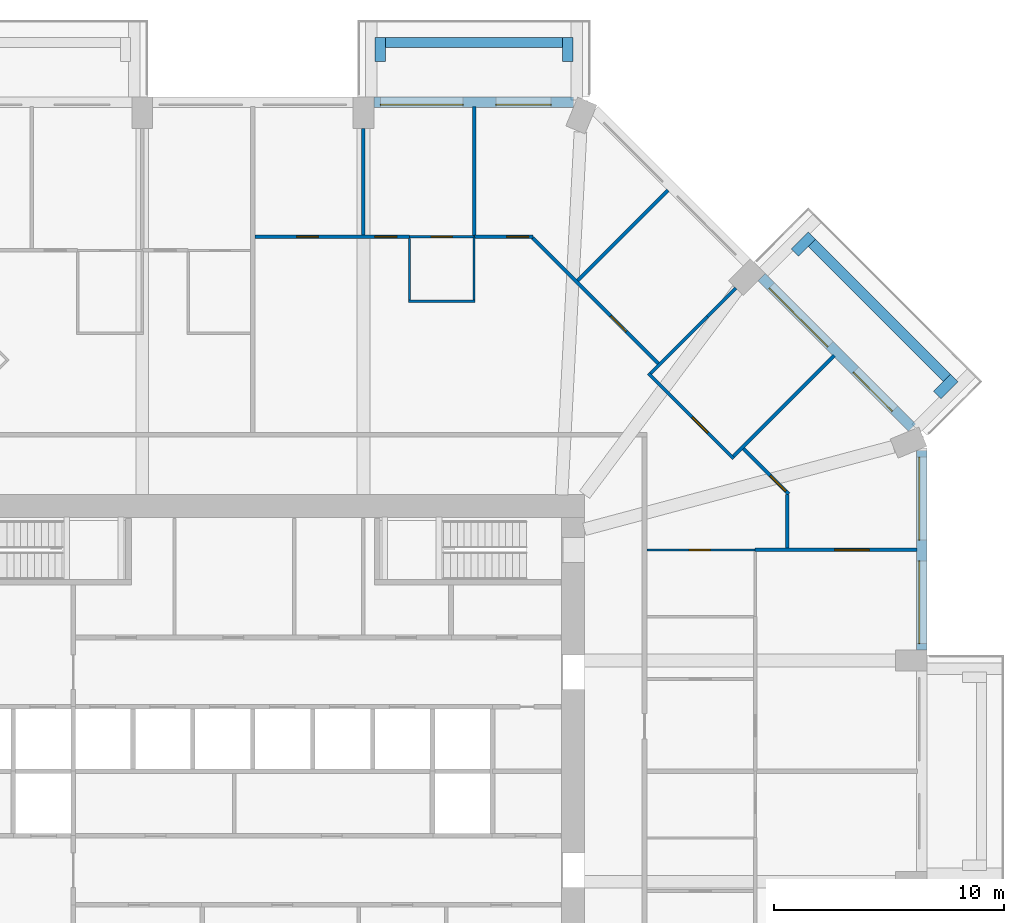
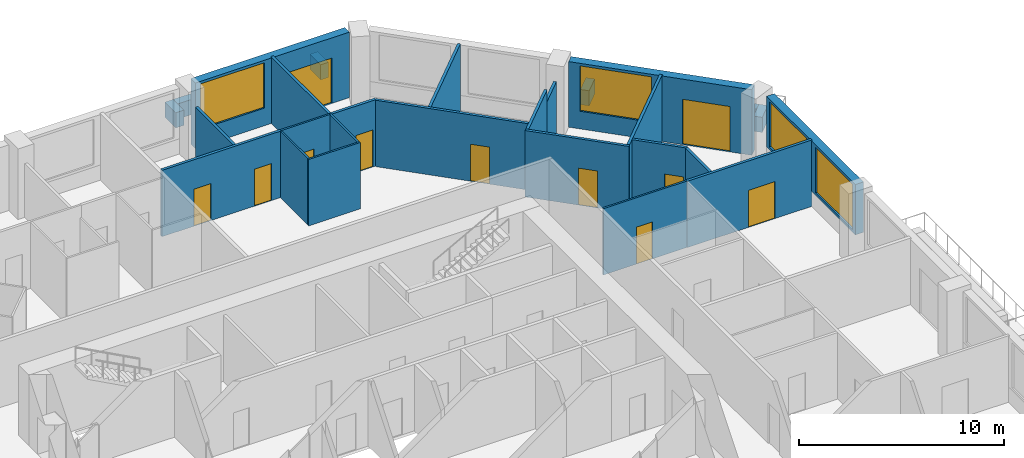
# One storey, part 10 of 13: 27 walls, 11 doors, 4 windows, 15 openings.
"""IFC4 building model written with IfcOpenShell, lengths in metres."""

from ifc_helpers import new_model, si_unit, direction, frame, frame_2d, origin, place, context, subcontext, project, spatial, rectangle, extrude, material, layer, layer_set, type_object, element, fill, save


model = new_model("IFC4")

# Units and contexts
model_context = context("Model", 3, precision=1e-05, world=origin(), true_north=direction((0.0, 1.0)))
body_context = subcontext(model_context, "Body", "Model", "MODEL_VIEW")
ifc_project = project(units=[si_unit("LENGTHUNIT", "METRE"), si_unit("AREAUNIT", "SQUARE_METRE"), si_unit("VOLUMEUNIT", "CUBIC_METRE"), si_unit("PLANEANGLEUNIT", "RADIAN"), si_unit("MASSUNIT", "GRAM", prefix="KILO")], contexts=[model_context])

# Site, building, storey
site_placement = place(None, origin())
site = spatial("IfcSite", under=ifc_project, at=site_placement, CompositionType="ELEMENT")
building_placement = place(site_placement, origin())
building = spatial("IfcBuilding", under=site, at=building_placement, Name="Msitu Wima Residences", CompositionType="ELEMENT")
storey_placement = place(building_placement, frame((0.0, 0.0, 46.5)))
storey = spatial("IfcBuildingStorey", under=building, at=storey_placement, Name="L10", CompositionType="ELEMENT", Elevation=46.5)

# Walls
ifc_material_1 = material(Name="Facing brick")
ifc_layer_1 = layer(ifc_material_1, 0.06494140625, Name="Facing brick")
ifc_material_2 = material(Name="Concrete C40/50", Category="concrete")
ifc_layer_2 = layer(ifc_material_2, 0.156005859375, Name="Concrete C40/50")
ifc_material_3 = material(Name="Waterproofing membrane")
ifc_layer_3 = layer(ifc_material_3, 0.00390625, Name="Waterproofing membrane")
ifc_material_4 = material(Name="Planting soil and planting")
ifc_layer_4 = layer(ifc_material_4, 0.22509765625, Name="Planting soil and planting")
ifc_layer_set_1 = layer_set([ifc_layer_1, ifc_layer_2, ifc_layer_3, ifc_layer_4], Name="Concrete C40/50")
wall_type_1 = type_object("IfcWallType", Name="Balcony planter PLANTER PL450", PredefinedType="USERDEFINED", material=ifc_layer_set_1)
wall_1_placement = place(storey_placement, frame((30.125732421875, 17.0693359375, 0.0), z_axis=(0.0, 0.0, 1.0), x_axis=(-0.707106781187, 0.707106781187, 0.0)))
element("IfcWall", 1, at=wall_1_placement, inside=storey, type_object=wall_type_1, Name="Balcony planter NE0 L10", ObjectType="PLANTER", PredefinedType="USERDEFINED", context=body_context, shape_type="SweptSolid", body=[
    extrude(rectangle(XDim=8.2822265625, YDim=0.449951171875, at=frame_2d((4.14111328125, 0.0))), origin(), (0.0, 0.0, 1.0), 0.89990234375),
])
for number, where, z_axis, x_axis, name in (
    (2, (29.70166015625, 16.326904296875, 0.0), (0.0, 0.0, 1.0), (0.707106781187, 0.707106781187, 0.0), "Balcony planter NE0 L10"),
    (3, (23.52685546875, 22.50146484375, 0.0), (0.0, 0.0, 1.0), (0.706990528533, 0.707223014731, 0.0), "Balcony planter NE0 L10"),
):
    element("IfcWall", number, at=place(storey_placement, frame(where, z_axis=z_axis, x_axis=x_axis)), inside=storey, type_object=wall_type_1, Name=name, ObjectType="PLANTER", PredefinedType="USERDEFINED", context=body_context, shape_type="SweptSolid", body=[
        extrude(rectangle(XDim=1.050048828125, YDim=0.449951171875, at=frame_2d((0.52490234375, 0.0))), origin(), (0.0, 0.0, 1.0), 0.89990234375),
    ])
wall_2_placement = place(storey_placement, frame((13.449951171875, 31.625, 0.0), z_axis=(0.0, 0.0, 1.0), x_axis=(-1.0, 0.0, 0.0)))
element("IfcWall", 4, at=wall_2_placement, inside=storey, type_object=wall_type_1, Name="Balcony planter N0 L10", ObjectType="PLANTER", PredefinedType="USERDEFINED", context=body_context, shape_type="SweptSolid", body=[
    extrude(rectangle(XDim=7.699951171875, YDim=0.449951171875, at=frame_2d((3.85009765625, 0.0))), origin(), (0.0, 0.0, 1.0), 0.89990234375),
])
for number, where, z_axis, x_axis, name in (
    (5, (13.675048828125, 30.800048828125, 0.0), (0.0, 0.0, 1.0), (0.0, 1.0, 0.0), "Balcony planter N0 L10"),
    (6, (5.52490234375, 30.800048828125, 0.0), (0.0, 0.0, 1.0), (0.0, 1.0, 0.0), "Balcony planter N0 L10"),
):
    element("IfcWall", number, at=place(storey_placement, frame(where, z_axis=z_axis, x_axis=x_axis)), inside=storey, type_object=wall_type_1, Name=name, ObjectType="PLANTER", PredefinedType="USERDEFINED", context=body_context, shape_type="SweptSolid", body=[
        extrude(rectangle(XDim=1.050048828125, YDim=0.449951171875, at=frame_2d((0.52490234375, 0.0))), origin(), (0.0, 0.0, 1.0), 0.89990234375),
    ])

# Wall, openings, windows
ifc_material_5 = material(Name="Brick (red buff mix)", Category="masonry")
ifc_layer_5 = layer(ifc_material_5, 0.449951171875)
ifc_layer_set_2 = layer_set([ifc_layer_5], Name="Brick (red buff mix)")
wall_type_2 = type_object("IfcWallType", Name="Brick infill wall BW450", PredefinedType="SOLIDWALL", material=ifc_layer_set_2)
wall_3_placement = place(storey_placement, frame((29.02490234375, 5.25, 0.89990234375), z_axis=(0.0, 0.0, 1.0), x_axis=(0.0, 1.0, 0.0)))
wall_3 = element("IfcWall", 7, at=wall_3_placement, inside=storey, type_object=wall_type_2, Name="Brick infill wall L10 E2", PredefinedType="SOLIDWALL", context=body_context, shape_type="SweptSolid", body=[
    extrude(rectangle(XDim=8.662841796875, YDim=0.449951171875, at=frame_2d((4.33154296875, 0.0))), origin(), (0.0, 0.0, 1.0), 3.0),
])
opening_1_placement = place(wall_3_placement, frame((0.281494140625, 0.0, 0.14990234375)))
opening_1 = element("IfcOpeningElement", 8, at=opening_1_placement, cuts=wall_3, Name="Opening W08-10.004", PredefinedType="OPENING", context=body_context, shape_type="SweptSolid", body=[
    extrude(rectangle(XDim=3.60009765625, YDim=2.699951171875, at=frame_2d((1.800048828125, 1.35009765625))), frame((0.0, 0.23486328125, 0.0), z_axis=(0.0, -1.0, 0.0), x_axis=(1.0, 0.0, 0.0)), (0.0, 0.0, 1.0), 0.469970703125),
])
opening_2_placement = place(wall_3_placement, frame((4.781494140625, 0.0, 0.14990234375)))
opening_2 = element("IfcOpeningElement", 9, at=opening_2_placement, cuts=wall_3, Name="Opening W08-10.005", PredefinedType="OPENING", context=body_context, shape_type="SweptSolid", body=[
    extrude(rectangle(XDim=3.60009765625, YDim=2.699951171875, at=frame_2d((1.800048828125, 1.35009765625))), frame((0.0, 0.23486328125, 0.0), z_axis=(0.0, -1.0, 0.0), x_axis=(1.0, 0.0, 0.0)), (0.0, 0.0, 1.0), 0.469970703125),
])
ifc_material_6 = material(Name="Anodised aluminium, bronze finish, clear low-emissivity double glazing", Category="aluminium")
window_type = type_object("IfcWindowType", Name="Window W3600x2700", PartitioningType="DOUBLE_PANEL_VERTICAL", PredefinedType="WINDOW", material=ifc_material_6)
window_1_placement = place(opening_1_placement, origin())
window_1 = element("IfcWindow", 10, at=window_1_placement, inside=storey, type_object=window_type, Name="Window L10 E2.1", OverallHeight=2.699951171875, OverallWidth=3.60009765625, PartitioningType="SINGLE_PANEL", PredefinedType="WINDOW", context=body_context, shape_type="SweptSolid", body=[
    extrude(rectangle(XDim=3.60009765625, YDim=2.699951171875, at=frame_2d((1.800048828125, 1.35009765625))), frame((0.0, 0.135009765625, 0.0), z_axis=(0.0, -1.0, 0.0), x_axis=(1.0, 0.0, 0.0)), (0.0, 0.0, 1.0), 0.06005859375),
])
fill(opening_1, window_1)
window_2_placement = place(opening_2_placement, origin())
window_2 = element("IfcWindow", 11, at=window_2_placement, inside=storey, type_object=window_type, Name="Window L10 E2.2", OverallHeight=2.699951171875, OverallWidth=3.60009765625, PartitioningType="SINGLE_PANEL", PredefinedType="WINDOW", context=body_context, shape_type="SweptSolid", body=[
    extrude(rectangle(XDim=3.60009765625, YDim=2.699951171875, at=frame_2d((1.800048828125, 1.35009765625))), frame((0.0, 0.135009765625, 0.0), z_axis=(0.0, -1.0, 0.0), x_axis=(1.0, 0.0, 0.0)), (0.0, 0.0, 1.0), 0.06005859375),
])
fill(opening_2, window_2)

# Wall, openings, door, window
wall_4_placement = place(storey_placement, frame((28.61474609375, 14.903564453125, 0.0), z_axis=(0.0, 0.0, 1.0), x_axis=(-0.707106781187, 0.707106781187, 0.0)))
wall_4 = element("IfcWall", 12, at=wall_4_placement, inside=storey, type_object=wall_type_2, Name="Brick infill wall L10 NE0", PredefinedType="SOLIDWALL", context=body_context, shape_type="SweptSolid", body=[
    extrude(rectangle(XDim=9.2451171875, YDim=0.449951171875, at=frame_2d((4.62255859375, 0.0))), origin(), (0.0, 0.0, 1.0), 3.89990234375),
])
opening_3_placement = place(wall_4_placement, frame((1.111328125, 0.0, 0.0)))
opening_3 = element("IfcOpeningElement", 13, at=opening_3_placement, cuts=wall_4, Name="Opening D08-10.004", PredefinedType="OPENING", context=body_context, shape_type="SweptSolid", body=[
    extrude(rectangle(XDim=2.39990234375, YDim=2.699951171875, at=frame_2d((1.199951171875, 1.35009765625))), frame((0.0, 0.23486328125, 0.0), z_axis=(0.0, -1.0, 0.0), x_axis=(1.0, 0.0, 0.0)), (0.0, 0.0, 1.0), 0.469970703125),
])
opening_4_placement = place(wall_4_placement, frame((5.072509765625, 0.0, 1.050048828125)))
opening_4 = element("IfcOpeningElement", 14, at=opening_4_placement, cuts=wall_4, Name="Opening W08-10.010", PredefinedType="OPENING", context=body_context, shape_type="SweptSolid", body=[
    extrude(rectangle(XDim=3.60009765625, YDim=2.699951171875, at=frame_2d((1.800048828125, 1.35009765625))), frame((0.0, 0.23486328125, 0.0), z_axis=(0.0, -1.0, 0.0), x_axis=(1.0, 0.0, 0.0)), (0.0, 0.0, 1.0), 0.469970703125),
])
door_type_1 = type_object("IfcDoorType", Name="Balcony door D2400x2700", OperationType="SLIDING_TO_LEFT", PredefinedType="DOOR", material=ifc_material_6)
door_1_placement = place(opening_3_placement, origin())
door_1 = element("IfcDoor", 15, at=door_1_placement, inside=storey, type_object=door_type_1, Name="Balcony door L10 NE0", OperationType="SINGLE_SWING_LEFT", OverallHeight=2.699951171875, OverallWidth=2.39990234375, PredefinedType="DOOR", context=body_context, shape_type="SweptSolid", body=[
    extrude(rectangle(XDim=2.39990234375, YDim=2.699951171875, at=frame_2d((1.199951171875, 1.35009765625))), frame((0.0, 0.1298828125, 0.0), z_axis=(0.0, -1.0, 0.0), x_axis=(1.0, 0.0, 0.0)), (0.0, 0.0, 1.0), 0.050048828125),
])
fill(opening_3, door_1)
window_3_placement = place(opening_4_placement, origin())
window_3 = element("IfcWindow", 16, at=window_3_placement, inside=storey, type_object=window_type, Name="Window L10 NE0.2", OverallHeight=2.699951171875, OverallWidth=3.60009765625, PartitioningType="SINGLE_PANEL", PredefinedType="WINDOW", context=body_context, shape_type="SweptSolid", body=[
    extrude(rectangle(XDim=3.60009765625, YDim=2.699951171875, at=frame_2d((1.800048828125, 1.35009765625))), frame((0.0, 0.135009765625, 0.0), z_axis=(0.0, -1.0, 0.0), x_axis=(1.0, 0.0, 0.0)), (0.0, 0.0, 1.0), 0.06005859375),
])
fill(opening_4, window_3)

wall_5_placement = place(storey_placement, frame((13.912841796875, 29.02490234375, 0.0), z_axis=(0.0, 0.0, 1.0), x_axis=(-1.0, 0.0, 0.0)))
wall_5 = element("IfcWall", 17, at=wall_5_placement, inside=storey, type_object=wall_type_2, Name="Brick infill wall L10 N0", PredefinedType="SOLIDWALL", context=body_context, shape_type="SweptSolid", body=[
    extrude(rectangle(XDim=8.662841796875, YDim=0.449951171875, at=frame_2d((4.33154296875, 0.0))), origin(), (0.0, 0.0, 1.0), 3.89990234375),
])
opening_5_placement = place(wall_5_placement, frame((0.9658203125, 0.0, 0.0)))
opening_5 = element("IfcOpeningElement", 18, at=opening_5_placement, cuts=wall_5, Name="Opening D08-10.002", PredefinedType="OPENING", context=body_context, shape_type="SweptSolid", body=[
    extrude(rectangle(XDim=2.39990234375, YDim=2.699951171875, at=frame_2d((1.199951171875, 1.35009765625))), frame((0.0, 0.23486328125, 0.0), z_axis=(0.0, -1.0, 0.0), x_axis=(1.0, 0.0, 0.0)), (0.0, 0.0, 1.0), 0.469970703125),
])
opening_6_placement = place(wall_5_placement, frame((4.781494140625, 0.0, 1.050048828125)))
opening_6 = element("IfcOpeningElement", 19, at=opening_6_placement, cuts=wall_5, Name="Opening W08-10.006", PredefinedType="OPENING", context=body_context, shape_type="SweptSolid", body=[
    extrude(rectangle(XDim=3.60009765625, YDim=2.699951171875, at=frame_2d((1.800048828125, 1.35009765625))), frame((0.0, 0.23486328125, 0.0), z_axis=(0.0, -1.0, 0.0), x_axis=(1.0, 0.0, 0.0)), (0.0, 0.0, 1.0), 0.469970703125),
])
door_2_placement = place(opening_5_placement, origin())
door_2 = element("IfcDoor", 20, at=door_2_placement, inside=storey, type_object=door_type_1, Name="Balcony door L10 N0", OperationType="SINGLE_SWING_LEFT", OverallHeight=2.699951171875, OverallWidth=2.39990234375, PredefinedType="DOOR", context=body_context, shape_type="SweptSolid", body=[
    extrude(rectangle(XDim=2.39990234375, YDim=2.699951171875, at=frame_2d((1.199951171875, 1.35009765625))), frame((0.0, 0.1298828125, 0.0), z_axis=(0.0, -1.0, 0.0), x_axis=(1.0, 0.0, 0.0)), (0.0, 0.0, 1.0), 0.050048828125),
])
fill(opening_5, door_2)
window_4_placement = place(opening_6_placement, origin())
window_4 = element("IfcWindow", 21, at=window_4_placement, inside=storey, type_object=window_type, Name="Window L10 N0.2", OverallHeight=2.699951171875, OverallWidth=3.60009765625, PartitioningType="SINGLE_PANEL", PredefinedType="WINDOW", context=body_context, shape_type="SweptSolid", body=[
    extrude(rectangle(XDim=3.60009765625, YDim=2.699951171875, at=frame_2d((1.800048828125, 1.35009765625))), frame((0.0, 0.135009765625, 0.0), z_axis=(0.0, -1.0, 0.0), x_axis=(1.0, 0.0, 0.0)), (0.0, 0.0, 1.0), 0.06005859375),
])
fill(opening_6, window_4)

# Wall, openings, doors
ifc_material_7 = material(Name="Plaster")
ifc_layer_6 = layer(ifc_material_7, 0.011962890625, Name="Plaster")
ifc_material_8 = material(Name="Concrete blockwork", Category="masonry")
ifc_layer_7 = layer(ifc_material_8, 0.1259765625, Name="Concrete blockwork")
ifc_layer_8 = layer(ifc_material_7, 0.011962890625, Name="Plaster")
ifc_layer_set_3 = layer_set([ifc_layer_6, ifc_layer_7, ifc_layer_8], Name="Concrete blockwork")
wall_type_3 = type_object("IfcWallType", Name="Partition PW150", PredefinedType="PARTITIONING", material=ifc_layer_set_3)
wall_6_placement = place(storey_placement, frame((0.10009765625, 23.199951171875, 0.0), z_axis=(0.0, 0.0, 1.0), x_axis=(1.0, 0.0, 0.0)))
wall_6 = element("IfcWall", 22, at=wall_6_placement, inside=storey, type_object=wall_type_3, Name="Partition", PredefinedType="PARTITIONING", context=body_context, shape_type="SweptSolid", body=[
    extrude(rectangle(XDim=6.699951171875, YDim=0.14990234375, at=frame_2d((3.35009765625, 0.0))), origin(), (0.0, 0.0, 1.0), 3.949951171875),
])
opening_7_placement = place(wall_6_placement, frame((1.800048828125, 0.0, 0.0)))
opening_7 = element("IfcOpeningElement", 23, at=opening_7_placement, cuts=wall_6, Name="Opening D08-10.086", PredefinedType="OPENING", context=body_context, shape_type="SweptSolid", body=[
    extrude(rectangle(XDim=0.949951171875, YDim=2.199951171875, at=frame_2d((0.47509765625, 1.10009765625))), frame((0.0, 0.0849609375, 0.0), z_axis=(0.0, -1.0, 0.0), x_axis=(1.0, 0.0, 0.0)), (0.0, 0.0, 1.0), 0.169921875),
])
opening_8_placement = place(wall_6_placement, frame((5.199951171875, 0.0, 0.0)))
opening_8 = element("IfcOpeningElement", 24, at=opening_8_placement, cuts=wall_6, Name="Opening D08-10.087", PredefinedType="OPENING", context=body_context, shape_type="SweptSolid", body=[
    extrude(rectangle(XDim=0.949951171875, YDim=2.199951171875, at=frame_2d((0.47509765625, 1.10009765625))), frame((0.0, 0.0849609375, 0.0), z_axis=(0.0, -1.0, 0.0), x_axis=(1.0, 0.0, 0.0)), (0.0, 0.0, 1.0), 0.169921875),
])
ifc_material_9 = material(Name="Timber flush door", Category="wood")
door_type_2 = type_object("IfcDoorType", Name="Room door D12 950x2200", OperationType="SINGLE_SWING_LEFT", PredefinedType="DOOR", material=ifc_material_9)
door_3_placement = place(opening_7_placement, origin())
door_3 = element("IfcDoor", 25, at=door_3_placement, inside=storey, type_object=door_type_2, Name="Room door", OperationType="SINGLE_SWING_LEFT", OverallHeight=2.199951171875, OverallWidth=0.949951171875, PredefinedType="DOOR", context=body_context, shape_type="SweptSolid", body=[
    extrude(rectangle(XDim=0.949951171875, YDim=2.199951171875, at=frame_2d((0.47509765625, 1.10009765625))), frame((0.0, 0.02490234375, 0.0), z_axis=(0.0, -1.0, 0.0), x_axis=(1.0, 0.0, 0.0)), (0.0, 0.0, 1.0), 0.050048828125),
])
fill(opening_7, door_3)
door_4_placement = place(opening_8_placement, origin())
door_4 = element("IfcDoor", 26, at=door_4_placement, inside=storey, type_object=door_type_2, Name="Room door", OperationType="SINGLE_SWING_LEFT", OverallHeight=2.199951171875, OverallWidth=0.949951171875, PredefinedType="DOOR", context=body_context, shape_type="SweptSolid", body=[
    extrude(rectangle(XDim=0.949951171875, YDim=2.199951171875, at=frame_2d((0.47509765625, 1.10009765625))), frame((0.0, 0.02490234375, 0.0), z_axis=(0.0, -1.0, 0.0), x_axis=(1.0, 0.0, 0.0)), (0.0, 0.0, 1.0), 0.050048828125),
])
fill(opening_8, door_4)

# Walls
wall_7_placement = place(storey_placement, frame((4.800048828125, 23.27490234375, 0.0), z_axis=(0.0, 0.0, 1.0), x_axis=(0.0, 1.0, 0.0)))
element("IfcWall", 27, at=wall_7_placement, inside=storey, type_object=wall_type_3, Name="Partition", PredefinedType="PARTITIONING", context=body_context, shape_type="SweptSolid", body=[
    extrude(rectangle(XDim=4.625, YDim=0.14990234375, at=frame_2d((2.3125, 0.0))), origin(), (0.0, 0.0, 1.0), 3.199951171875),
])
wall_8_placement = place(storey_placement, frame((9.60009765625, 23.179931640625, 0.0), z_axis=(0.0, 0.0, 1.0), x_axis=(0.0, 1.0, 0.0)))
element("IfcWall", 28, at=wall_8_placement, inside=storey, type_object=wall_type_3, Name="Partition", PredefinedType="PARTITIONING", context=body_context, shape_type="SweptSolid", body=[
    extrude(rectangle(XDim=5.675048828125, YDim=0.14990234375, at=frame_2d((2.83740234375, 0.0))), origin(), (0.0, 0.0, 1.0), 3.949951171875),
])

# Wall, opening, door
wall_9_placement = place(storey_placement, frame((9.6201171875, 23.199951171875, 0.0), z_axis=(0.0, 0.0, 1.0), x_axis=(1.0, 0.0, 0.0)))
wall_9 = element("IfcWall", 29, at=wall_9_placement, inside=storey, type_object=wall_type_3, Name="Partition", PredefinedType="PARTITIONING", context=body_context, shape_type="SweptSolid", body=[
    extrude(rectangle(XDim=2.535400390625, YDim=0.14990234375, at=frame_2d((1.267578125, 0.0))), origin(), (0.0, 0.0, 1.0), 3.949951171875),
])
opening_9_placement = place(wall_9_placement, frame((1.39990234375, 0.0, 0.0)))
opening_9 = element("IfcOpeningElement", 30, at=opening_9_placement, cuts=wall_9, Name="Opening D08-10.043", PredefinedType="OPENING", context=body_context, shape_type="SweptSolid", body=[
    extrude(rectangle(XDim=0.949951171875, YDim=2.199951171875, at=frame_2d((0.47509765625, 1.10009765625))), frame((0.0, 0.0849609375, 0.0), z_axis=(0.0, -1.0, 0.0), x_axis=(1.0, 0.0, 0.0)), (0.0, 0.0, 1.0), 0.169921875),
])
door_5_placement = place(opening_9_placement, origin())
door_5 = element("IfcDoor", 31, at=door_5_placement, inside=storey, type_object=door_type_2, Name="Room door", OperationType="SINGLE_SWING_LEFT", OverallHeight=2.199951171875, OverallWidth=0.949951171875, PredefinedType="DOOR", context=body_context, shape_type="SweptSolid", body=[
    extrude(rectangle(XDim=0.949951171875, YDim=2.199951171875, at=frame_2d((0.47509765625, 1.10009765625))), frame((0.0, 0.02490234375, 0.0), z_axis=(0.0, -1.0, 0.0), x_axis=(1.0, 0.0, 0.0)), (0.0, 0.0, 1.0), 0.050048828125),
])
fill(opening_9, door_5)

wall_10_placement = place(storey_placement, frame((12.133544921875, 23.14697265625, 0.0), z_axis=(0.0, 0.0, 1.0), x_axis=(0.707090953922, -0.707122608097, 0.0)))
wall_10 = element("IfcWall", 32, at=wall_10_placement, inside=storey, type_object=wall_type_3, Name="Partition", PredefinedType="PARTITIONING", context=body_context, shape_type="SweptSolid", body=[
    extrude(rectangle(XDim=7.712646484375, YDim=0.14990234375, at=frame_2d((3.8564453125, 0.0))), origin(), (0.0, 0.0, 1.0), 3.949951171875),
])
opening_10_placement = place(wall_10_placement, frame((4.800048828125, 0.0, 0.0)))
opening_10 = element("IfcOpeningElement", 33, at=opening_10_placement, cuts=wall_10, Name="Opening D08-10.085", PredefinedType="OPENING", context=body_context, shape_type="SweptSolid", body=[
    extrude(rectangle(XDim=0.949951171875, YDim=2.199951171875, at=frame_2d((0.47509765625, 1.10009765625))), frame((0.0, 0.0849609375, 0.0), z_axis=(0.0, -1.0, 0.0), x_axis=(1.0, 0.0, 0.0)), (0.0, 0.0, 1.0), 0.169921875),
])
door_6_placement = place(opening_10_placement, origin())
door_6 = element("IfcDoor", 34, at=door_6_placement, inside=storey, type_object=door_type_2, Name="Room door", OperationType="SINGLE_SWING_RIGHT", OverallHeight=2.199951171875, OverallWidth=0.949951171875, PredefinedType="DOOR", context=body_context, shape_type="SweptSolid", body=[
    extrude(rectangle(XDim=0.949951171875, YDim=2.199951171875, at=frame_2d((0.47509765625, 1.10009765625))), frame((0.0, 0.02490234375, 0.0), z_axis=(0.0, -1.0, 0.0), x_axis=(1.0, 0.0, 0.0)), (0.0, 0.0, 1.0), 0.050048828125),
])
fill(opening_10, door_6)

# Wall
wall_11_placement = place(storey_placement, frame((14.09326171875, 21.293212890625, 0.0), z_axis=(0.0, 0.0, 1.0), x_axis=(0.70708478617, 0.707128775519, 0.0)))
element("IfcWall", 35, at=wall_11_placement, inside=storey, type_object=wall_type_3, Name="Partition", PredefinedType="PARTITIONING", context=body_context, shape_type="SweptSolid", body=[
    extrude(rectangle(XDim=5.550048828125, YDim=0.14990234375, at=frame_2d((2.77490234375, 0.0))), origin(), (0.0, 0.0, 1.0), 3.949951171875),
])

# Wall, opening, door
wall_12_placement = place(storey_placement, frame((17.162841796875, 17.26904296875, 0.0), z_axis=(0.0, 0.0, 1.0), x_axis=(0.707106781187, -0.707106781187, 0.0)))
wall_12 = element("IfcWall", 36, at=wall_12_placement, inside=storey, type_object=wall_type_3, Name="Partition", PredefinedType="PARTITIONING", context=body_context, shape_type="SweptSolid", body=[
    extrude(rectangle(XDim=5.2412109375, YDim=0.14990234375, at=frame_2d((2.62060546875, 0.0))), origin(), (0.0, 0.0, 1.0), 3.949951171875),
])
opening_11_placement = place(wall_12_placement, frame((2.699951171875, 0.0, 0.0)))
opening_11 = element("IfcOpeningElement", 37, at=opening_11_placement, cuts=wall_12, Name="Opening D08-10.089", PredefinedType="OPENING", context=body_context, shape_type="SweptSolid", body=[
    extrude(rectangle(XDim=0.949951171875, YDim=2.199951171875, at=frame_2d((0.47509765625, 1.10009765625))), frame((0.0, 0.0849609375, 0.0), z_axis=(0.0, -1.0, 0.0), x_axis=(1.0, 0.0, 0.0)), (0.0, 0.0, 1.0), 0.169921875),
])
door_7_placement = place(opening_11_placement, origin())
door_7 = element("IfcDoor", 38, at=door_7_placement, inside=storey, type_object=door_type_2, Name="Room door", OperationType="SINGLE_SWING_RIGHT", OverallHeight=2.199951171875, OverallWidth=0.949951171875, PredefinedType="DOOR", context=body_context, shape_type="SweptSolid", body=[
    extrude(rectangle(XDim=0.949951171875, YDim=2.199951171875, at=frame_2d((0.47509765625, 1.10009765625))), frame((0.0, 0.02490234375, 0.0), z_axis=(0.0, -1.0, 0.0), x_axis=(1.0, 0.0, 0.0)), (0.0, 0.0, 1.0), 0.050048828125),
])
fill(opening_11, door_7)

# Walls
wall_13_placement = place(storey_placement, frame((17.26904296875, 17.26904296875, 0.0), z_axis=(0.0, 0.0, 1.0), x_axis=(0.707106781187, 0.707106781187, 0.0)))
element("IfcWall", 39, at=wall_13_placement, inside=storey, type_object=wall_type_3, Name="Partition", PredefinedType="PARTITIONING", context=body_context, shape_type="SweptSolid", body=[
    extrude(rectangle(XDim=3.4765625, YDim=0.14990234375, at=frame_2d((1.73828125, 0.0))), origin(), (0.0, 0.0, 1.0), 3.949951171875),
])
wall_14_placement = place(storey_placement, frame((19.727294921875, 19.727294921875, 0.0), z_axis=(0.0, 0.0, 1.0), x_axis=(0.707106781187, 0.707106781187, 0.0)))
element("IfcWall", 40, at=wall_14_placement, inside=storey, type_object=wall_type_3, Name="Partition", PredefinedType="PARTITIONING", context=body_context, shape_type="SweptSolid", body=[
    extrude(rectangle(XDim=1.74853515625, YDim=0.14990234375, at=frame_2d((0.874267578125, 0.0))), origin(), (0.0, 0.0, 1.0), 3.25),
])
wall_15_placement = place(storey_placement, frame((20.868896484375, 13.6689453125, 0.0), z_axis=(0.0, 0.0, 1.0), x_axis=(0.707106781187, 0.707106781187, 0.0)))
element("IfcWall", 41, at=wall_15_placement, inside=storey, type_object=wall_type_3, Name="Partition", PredefinedType="PARTITIONING", context=body_context, shape_type="SweptSolid", body=[
    extrude(rectangle(XDim=6.179931640625, YDim=0.14990234375, at=frame_2d((3.08984375, 0.0))), origin(), (0.0, 0.0, 1.0), 3.949951171875),
])

# Wall, opening, door
wall_16_placement = place(storey_placement, frame((21.293212890625, 13.987060546875, 0.0), z_axis=(0.0, 0.0, 1.0), x_axis=(0.707106781187, -0.707106781187, 0.0)))
wall_16 = element("IfcWall", 42, at=wall_16_placement, inside=storey, type_object=wall_type_3, Name="Partition", PredefinedType="PARTITIONING", context=body_context, shape_type="SweptSolid", body=[
    extrude(rectangle(XDim=2.771484375, YDim=0.14990234375, at=frame_2d((1.3857421875, 0.0))), origin(), (0.0, 0.0, 1.0), 3.949951171875),
])
opening_12_placement = place(wall_16_placement, frame((1.64990234375, 0.0, 0.0)))
opening_12 = element("IfcOpeningElement", 43, at=opening_12_placement, cuts=wall_16, Name="Opening D08-10.074", PredefinedType="OPENING", context=body_context, shape_type="SweptSolid", body=[
    extrude(rectangle(XDim=0.949951171875, YDim=2.199951171875, at=frame_2d((0.47509765625, 1.10009765625))), frame((0.0, 0.0849609375, 0.0), z_axis=(0.0, -1.0, 0.0), x_axis=(1.0, 0.0, 0.0)), (0.0, 0.0, 1.0), 0.169921875),
])
door_8_placement = place(opening_12_placement, origin())
door_8 = element("IfcDoor", 44, at=door_8_placement, inside=storey, type_object=door_type_2, Name="Room door", OperationType="SINGLE_SWING_LEFT", OverallHeight=2.199951171875, OverallWidth=0.949951171875, PredefinedType="DOOR", context=body_context, shape_type="SweptSolid", body=[
    extrude(rectangle(XDim=0.949951171875, YDim=2.199951171875, at=frame_2d((0.47509765625, 1.10009765625))), frame((0.0, 0.02490234375, 0.0), z_axis=(0.0, -1.0, 0.0), x_axis=(1.0, 0.0, 0.0)), (0.0, 0.0, 1.0), 0.050048828125),
])
fill(opening_12, door_8)

wall_17_placement = place(storey_placement, frame((21.800048828125, 9.60009765625, 0.0), z_axis=(0.0, 0.0, 1.0), x_axis=(1.0, 0.0, 0.0)))
wall_17 = element("IfcWall", 45, at=wall_17_placement, inside=storey, type_object=wall_type_3, Name="Partition", PredefinedType="PARTITIONING", context=body_context, shape_type="SweptSolid", body=[
    extrude(rectangle(XDim=7.02490234375, YDim=0.14990234375, at=frame_2d((3.512451171875, 0.0))), origin(), (0.0, 0.0, 1.0), 3.949951171875),
])
opening_13_placement = place(wall_17_placement, frame((3.449951171875, 0.0, 0.0)))
opening_13 = element("IfcOpeningElement", 46, at=opening_13_placement, cuts=wall_17, Name="Opening D08-10.052", PredefinedType="OPENING", context=body_context, shape_type="SweptSolid", body=[
    extrude(rectangle(XDim=1.5, YDim=2.199951171875, at=frame_2d((0.75, 1.10009765625))), frame((0.0, 0.0849609375, 0.0), z_axis=(0.0, -1.0, 0.0), x_axis=(1.0, 0.0, 0.0)), (0.0, 0.0, 1.0), 0.169921875),
])
ifc_material_10 = material(Name="Timber double door", Category="wood")
door_type_3 = type_object("IfcDoorType", Name="Double door D04 1500x2200", OperationType="DOUBLE_DOOR_SINGLE_SWING", PredefinedType="DOOR", material=ifc_material_10)
door_9_placement = place(opening_13_placement, origin())
door_9 = element("IfcDoor", 47, at=door_9_placement, inside=storey, type_object=door_type_3, Name="Double door", OperationType="DOUBLE_DOOR_SINGLE_SWING", OverallHeight=2.199951171875, OverallWidth=1.5, PredefinedType="DOOR", context=body_context, shape_type="SweptSolid", body=[
    extrude(rectangle(XDim=1.5, YDim=2.199951171875, at=frame_2d((0.75, 1.10009765625))), frame((0.0, 0.02490234375, 0.0), z_axis=(0.0, -1.0, 0.0), x_axis=(1.0, 0.0, 0.0)), (0.0, 0.0, 1.0), 0.050048828125),
])
fill(opening_13, door_9)

# Wall
wall_18_placement = place(storey_placement, frame((23.199951171875, 9.675048828125, 0.0), z_axis=(0.0, 0.0, 1.0), x_axis=(0.0, 1.0, 0.0)))
element("IfcWall", 48, at=wall_18_placement, inside=storey, type_object=wall_type_3, Name="Partition", PredefinedType="PARTITIONING", context=body_context, shape_type="SweptSolid", body=[
    extrude(rectangle(XDim=2.330322265625, YDim=0.14990234375, at=frame_2d((1.1650390625, 0.0))), origin(), (0.0, 0.0, 1.0), 3.949951171875),
])

# Wall, opening, door
ifc_material_11 = material(Name="Ceramic tiles")
ifc_layer_9 = layer(ifc_material_11, 0.008056640625, Name="Ceramic tiles")
ifc_material_12 = material(Name="Moisture-resistant board")
ifc_layer_10 = layer(ifc_material_12, 0.012451171875, Name="Moisture-resistant board")
ifc_material_13 = material(Name="Light-gauge stud framing with mineral wool")
ifc_layer_11 = layer(ifc_material_13, 0.06689453125, Name="Light-gauge stud framing with mineral wool")
ifc_layer_12 = layer(ifc_material_12, 0.012451171875, Name="Moisture-resistant board")
ifc_layer_set_4 = layer_set([ifc_layer_9, ifc_layer_10, ifc_layer_11, ifc_layer_12], Name="Light-gauge stud framing with mineral wool")
wall_type_4 = type_object("IfcWallType", Name="Wet wall PW100", PredefinedType="PARTITIONING", material=ifc_layer_set_4)
wall_19_placement = place(storey_placement, frame((6.800048828125, 23.199951171875, 0.0), z_axis=(0.0, 0.0, 1.0), x_axis=(1.0, 0.0, 0.0)))
wall_19 = element("IfcWall", 49, at=wall_19_placement, inside=storey, type_object=wall_type_4, Name="Wet wall", PredefinedType="PARTITIONING", context=body_context, shape_type="SweptSolid", body=[
    extrude(rectangle(XDim=2.820068359375, YDim=0.10009765625, at=frame_2d((1.41015625, 0.0))), origin(), (0.0, 0.0, 1.0), 3.949951171875),
])
opening_14_placement = place(wall_19_placement, frame((0.949951171875, 0.0, 0.0)))
opening_14 = element("IfcOpeningElement", 50, at=opening_14_placement, cuts=wall_19, Name="Opening D08-10.088", PredefinedType="OPENING", context=body_context, shape_type="SweptSolid", body=[
    extrude(rectangle(XDim=0.89990234375, YDim=2.199951171875, at=frame_2d((0.449951171875, 1.10009765625))), frame((0.0, 0.06005859375, 0.0), z_axis=(0.0, -1.0, 0.0), x_axis=(1.0, 0.0, 0.0)), (0.0, 0.0, 1.0), 0.1201171875),
])
ifc_material_14 = material(Name="Timber flush door, moisture resistant", Category="wood")
door_type_4 = type_object("IfcDoorType", Name="Bathroom door D03 900x2200", OperationType="SINGLE_SWING_LEFT", PredefinedType="DOOR", material=ifc_material_14)
door_10_placement = place(opening_14_placement, origin())
door_10 = element("IfcDoor", 51, at=door_10_placement, inside=storey, type_object=door_type_4, Name="Bathroom door", OperationType="SINGLE_SWING_RIGHT", OverallHeight=2.199951171875, OverallWidth=0.89990234375, PredefinedType="DOOR", context=body_context, shape_type="SweptSolid", body=[
    extrude(rectangle(XDim=0.89990234375, YDim=2.199951171875, at=frame_2d((0.449951171875, 1.10009765625))), frame((0.0, 0.02490234375, 0.0), z_axis=(0.0, -1.0, 0.0), x_axis=(1.0, 0.0, 0.0)), (0.0, 0.0, 1.0), 0.050048828125),
])
fill(opening_14, door_10)

# Walls
wall_20_placement = place(storey_placement, frame((6.800048828125, 20.449951171875, 0.0), z_axis=(0.0, 0.0, 1.0), x_axis=(0.0, 1.0, 0.0)))
element("IfcWall", 52, at=wall_20_placement, inside=storey, type_object=wall_type_4, Name="Wet wall", PredefinedType="PARTITIONING", context=body_context, shape_type="SweptSolid", body=[
    extrude(rectangle(XDim=2.675048828125, YDim=0.10009765625, at=frame_2d((1.33740234375, 0.0))), origin(), (0.0, 0.0, 1.0), 3.949951171875),
])
wall_21_placement = place(storey_placement, frame((6.75, 20.39990234375, 0.0), z_axis=(0.0, 0.0, 1.0), x_axis=(1.0, 0.0, 0.0)))
element("IfcWall", 53, at=wall_21_placement, inside=storey, type_object=wall_type_4, Name="Wet wall", PredefinedType="PARTITIONING", context=body_context, shape_type="SweptSolid", body=[
    extrude(rectangle(XDim=2.89990234375, YDim=0.10009765625, at=frame_2d((1.449951171875, 0.0))), origin(), (0.0, 0.0, 1.0), 3.949951171875),
])
wall_22_placement = place(storey_placement, frame((9.60009765625, 20.449951171875, 0.0), z_axis=(0.0, 0.0, 1.0), x_axis=(0.0, 1.0, 0.0)))
element("IfcWall", 54, at=wall_22_placement, inside=storey, type_object=wall_type_4, Name="Wet wall", PredefinedType="PARTITIONING", context=body_context, shape_type="SweptSolid", body=[
    extrude(rectangle(XDim=2.72998046875, YDim=0.10009765625, at=frame_2d((1.364990234375, 0.0))), origin(), (0.0, 0.0, 1.0), 3.949951171875),
])

# Wall, opening, door
wall_23_placement = place(storey_placement, frame((17.10009765625, 9.60009765625, 0.0), z_axis=(0.0, 0.0, 1.0), x_axis=(1.0, 0.0, 0.0)))
wall_23 = element("IfcWall", 55, at=wall_23_placement, inside=storey, type_object=wall_type_4, Name="Wet wall", PredefinedType="PARTITIONING", context=body_context, shape_type="SweptSolid", body=[
    extrude(rectangle(XDim=4.699951171875, YDim=0.10009765625, at=frame_2d((2.35009765625, 0.0))), origin(), (0.0, 0.0, 1.0), 3.949951171875),
])
opening_15_placement = place(wall_23_placement, frame((1.85009765625, 0.0, 0.0)))
opening_15 = element("IfcOpeningElement", 56, at=opening_15_placement, cuts=wall_23, Name="Opening D08-10.042", PredefinedType="OPENING", context=body_context, shape_type="SweptSolid", body=[
    extrude(rectangle(XDim=0.89990234375, YDim=2.199951171875, at=frame_2d((0.449951171875, 1.10009765625))), frame((0.0, 0.06005859375, 0.0), z_axis=(0.0, -1.0, 0.0), x_axis=(1.0, 0.0, 0.0)), (0.0, 0.0, 1.0), 0.1201171875),
])
door_11_placement = place(opening_15_placement, origin())
door_11 = element("IfcDoor", 57, at=door_11_placement, inside=storey, type_object=door_type_4, Name="Bathroom door", OperationType="SINGLE_SWING_RIGHT", OverallHeight=2.199951171875, OverallWidth=0.89990234375, PredefinedType="DOOR", context=body_context, shape_type="SweptSolid", body=[
    extrude(rectangle(XDim=0.89990234375, YDim=2.199951171875, at=frame_2d((0.449951171875, 1.10009765625))), frame((0.0, 0.02490234375, 0.0), z_axis=(0.0, -1.0, 0.0), x_axis=(1.0, 0.0, 0.0)), (0.0, 0.0, 1.0), 0.050048828125),
])
fill(opening_15, door_11)

save(model, "model.ifc")
